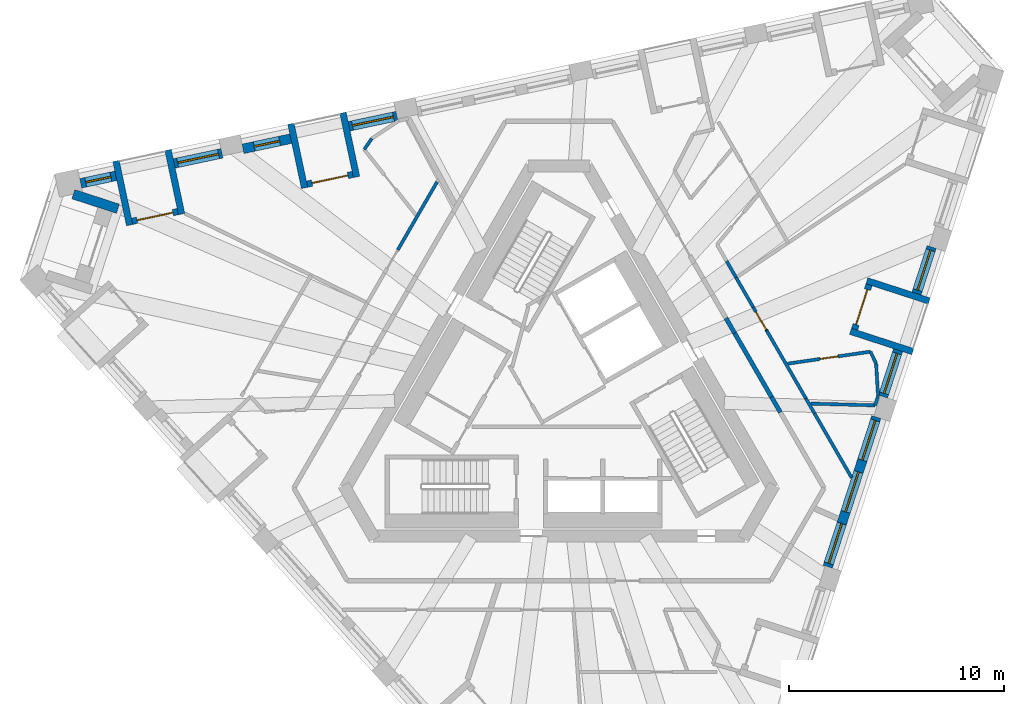
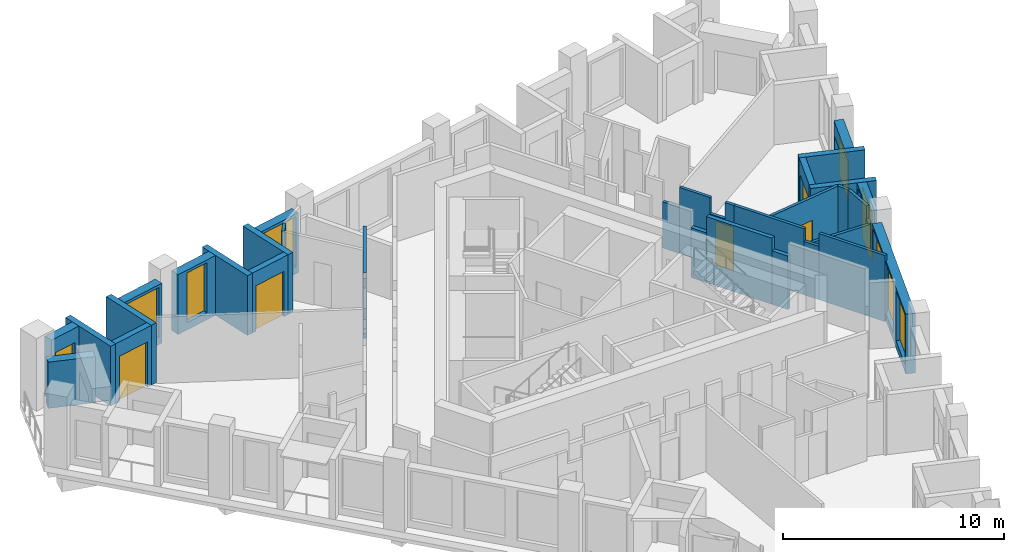
# One storey, part 6 of 12: 33 walls, 9 windows, 5 doors, 14 openings.
"""IFC4 building model written with IfcOpenShell, lengths in metres."""

from ifc_helpers import new_model, si_unit, direction, frame, frame_2d, origin, place, context, subcontext, project, spatial, polyline, rectangle, outline, extrude, material, layer, layer_set, type_object, element, fill, save


model = new_model("IFC4")

# Units and contexts
model_context = context("Model", 3, precision=1e-05, world=origin(), true_north=direction((0.0, 1.0)))
body_context = subcontext(model_context, "Body", "Model", "MODEL_VIEW")
ifc_project = project(units=[si_unit("LENGTHUNIT", "METRE"), si_unit("AREAUNIT", "SQUARE_METRE"), si_unit("VOLUMEUNIT", "CUBIC_METRE"), si_unit("PLANEANGLEUNIT", "RADIAN"), si_unit("MASSUNIT", "GRAM", prefix="KILO")], contexts=[model_context])

# Site, building, storey
site_placement = place(None, origin())
site = spatial("IfcSite", under=ifc_project, at=site_placement, CompositionType="ELEMENT")
building_placement = place(site_placement, origin())
building = spatial("IfcBuilding", under=site, at=building_placement, Name="Tramontana Tower", CompositionType="ELEMENT")
storey_placement = place(building_placement, frame((0.0, 0.0, 332.39990234375)))
storey = spatial("IfcBuildingStorey", under=building, at=storey_placement, Name="L76", CompositionType="ELEMENT", Elevation=332.39990234375)

# Walls
ifc_material_1 = material(Name="Blockwork", Category="masonry")
ifc_layer_1 = layer(ifc_material_1, 0.199951171875)
ifc_layer_set_1 = layer_set([ifc_layer_1], Name="ENTRY WALL 200")
wall_type_1 = type_object("IfcWallType", Name="ENTRY WALL 200", PredefinedType="SOLIDWALL", material=ifc_layer_set_1)
wall_1_placement = place(storey_placement, frame((7.765380859375, 3.64990234375, 0.0), z_axis=(0.0, 0.0, 1.0), x_axis=(0.500141487433, -0.865943700565, 0.0)))
element("IfcWall", 1, at=wall_1_placement, inside=storey, type_object=wall_type_1, Name="Wall v81-ew5-7", PredefinedType="SOLIDWALL", context=body_context, shape_type="SweptSolid", body=[
    extrude(rectangle(XDim=0.806884765625, YDim=0.199951171875, at=frame_2d((0.4033203125, 0.0))), origin(), (0.0, 0.0, 1.0), 2.75),
])
wall_2_placement = place(storey_placement, frame((8.1689453125, 2.951171875, 0.0), z_axis=(0.0, 0.0, 1.0), x_axis=(0.499959115548, -0.866049007147, 0.0)))
element("IfcWall", 2, at=wall_2_placement, inside=storey, type_object=wall_type_1, Name="Wall v81-ew5-8", PredefinedType="SOLIDWALL", context=body_context, shape_type="SweptSolid", body=[
    extrude(rectangle(XDim=3.423095703125, YDim=0.199951171875, at=frame_2d((1.71142578125, 0.0))), origin(), (0.0, 0.0, 1.0), 3.650146484375),
])
wall_3_placement = place(storey_placement, frame((9.88037109375, -0.013427734375, 0.0), z_axis=(0.0, 0.0, 1.0), x_axis=(0.499952654668, -0.866052736899, 0.0)))
element("IfcWall", 3, at=wall_3_placement, inside=storey, type_object=wall_type_1, Name="Wall v81-ew5-9", PredefinedType="SOLIDWALL", context=body_context, shape_type="SweptSolid", body=[
    extrude(rectangle(XDim=0.826171875, YDim=0.199951171875, at=frame_2d((0.4130859375, 0.0))), origin(), (0.0, 0.0, 1.0), 2.9501953125),
])

# Wall, openings, windows
ifc_material_2 = material(Name="Precast concrete 60 MPa", Category="concrete")
ifc_layer_2 = layer(ifc_material_2, 0.449951171875)
ifc_layer_set_2 = layer_set([ifc_layer_2], Name="Precast concrete 60 MPa, 450 mm")
wall_type_2 = type_object("IfcWallType", Name="EW1 Stone-faced precast wall 450", PredefinedType="SOLIDWALL", material=ifc_layer_set_2)
wall_4_placement = place(storey_placement, frame((12.493896484375, -7.904541015625, 0.0), z_axis=(0.0, 0.0, 1.0), x_axis=(0.309008326872, 0.951059332494, 0.0)))
wall_4 = element("IfcWall", 4, at=wall_4_placement, inside=storey, type_object=wall_type_2, Name="External wall L76 face 1 bay 3", PredefinedType="SOLIDWALL", context=body_context, shape_type="SweptSolid", body=[
    extrude(rectangle(XDim=7.313720703125, YDim=0.449951171875, at=frame_2d((3.65673828125, 0.0))), origin(), (0.0, 0.0, 1.0), 3.300048828125),
])
opening_1_placement = place(wall_4_placement, frame((0.16064453125, 0.0, 0.39990234375)))
opening_1 = element("IfcOpeningElement", 5, at=opening_1_placement, cuts=wall_4, Name="Opening M3", PredefinedType="OPENING", context=body_context, shape_type="SweptSolid", body=[
    extrude(rectangle(XDim=1.949951171875, YDim=2.75, at=frame_2d((0.97509765625, 1.375))), frame((0.0, 0.23486328125, 0.0), z_axis=(0.0, -1.0, 0.0), x_axis=(1.0, 0.0, 0.0)), (0.0, 0.0, 1.0), 0.469970703125),
])
opening_2_placement = place(wall_4_placement, frame((2.681884765625, 0.0, 0.39990234375)))
opening_2 = element("IfcOpeningElement", 6, at=opening_2_placement, cuts=wall_4, Name="Opening M3", PredefinedType="OPENING", context=body_context, shape_type="SweptSolid", body=[
    extrude(rectangle(XDim=1.949951171875, YDim=2.75, at=frame_2d((0.97509765625, 1.375))), frame((0.0, 0.23486328125, 0.0), z_axis=(0.0, -1.0, 0.0), x_axis=(1.0, 0.0, 0.0)), (0.0, 0.0, 1.0), 0.469970703125),
])
opening_3_placement = place(wall_4_placement, frame((5.203125, 0.0, 0.39990234375)))
opening_3 = element("IfcOpeningElement", 7, at=opening_3_placement, cuts=wall_4, Name="Opening M3", PredefinedType="OPENING", context=body_context, shape_type="SweptSolid", body=[
    extrude(rectangle(XDim=1.949951171875, YDim=2.75, at=frame_2d((0.97509765625, 1.375))), frame((0.0, 0.23486328125, 0.0), z_axis=(0.0, -1.0, 0.0), x_axis=(1.0, 0.0, 0.0)), (0.0, 0.0, 1.0), 0.469970703125),
])
ifc_material_3 = material(Name="Aluminum frame, double glazing unit", Category="aluminium")
window_type_1 = type_object("IfcWindowType", Name="M3 Window 1.95 x 2.75", PartitioningType="SINGLE_PANEL", PredefinedType="WINDOW", material=ifc_material_3)
window_1_placement = place(opening_1_placement, origin())
window_1 = element("IfcWindow", 8, at=window_1_placement, inside=storey, type_object=window_type_1, Name="Window M3 L76 face 1 module 7", OverallHeight=2.75, OverallWidth=1.949951171875, PartitioningType="SINGLE_PANEL", PredefinedType="WINDOW", context=body_context, shape_type="SweptSolid", body=[
    extrude(rectangle(XDim=1.949951171875, YDim=2.75, at=frame_2d((0.97509765625, 1.375))), frame((0.0, 0.030029296875, 0.0), z_axis=(0.0, -1.0, 0.0), x_axis=(1.0, 0.0, 0.0)), (0.0, 0.0, 1.0), 0.06005859375),
])
fill(opening_1, window_1)
window_2_placement = place(opening_2_placement, origin())
window_2 = element("IfcWindow", 9, at=window_2_placement, inside=storey, type_object=window_type_1, Name="Window M3 L76 face 1 module 8", OverallHeight=2.75, OverallWidth=1.949951171875, PartitioningType="SINGLE_PANEL", PredefinedType="WINDOW", context=body_context, shape_type="SweptSolid", body=[
    extrude(rectangle(XDim=1.949951171875, YDim=2.75, at=frame_2d((0.97509765625, 1.375))), frame((0.0, 0.030029296875, 0.0), z_axis=(0.0, -1.0, 0.0), x_axis=(1.0, 0.0, 0.0)), (0.0, 0.0, 1.0), 0.06005859375),
])
fill(opening_2, window_2)
window_3_placement = place(opening_3_placement, origin())
window_3 = element("IfcWindow", 10, at=window_3_placement, inside=storey, type_object=window_type_1, Name="Window M3 L76 face 1 module 9", OverallHeight=2.75, OverallWidth=1.949951171875, PartitioningType="SINGLE_PANEL", PredefinedType="WINDOW", context=body_context, shape_type="SweptSolid", body=[
    extrude(rectangle(XDim=1.949951171875, YDim=2.75, at=frame_2d((0.97509765625, 1.375))), frame((0.0, 0.030029296875, 0.0), z_axis=(0.0, -1.0, 0.0), x_axis=(1.0, 0.0, 0.0)), (0.0, 0.0, 1.0), 0.06005859375),
])
fill(opening_3, window_3)

# Wall, opening, window
wall_5_placement = place(storey_placement, frame((15.06298828125, 0.00244140625, 0.0), z_axis=(0.0, 0.0, 1.0), x_axis=(0.309059334219, 0.951042758204, 0.0)))
wall_5 = element("IfcWall", 11, at=wall_5_placement, inside=storey, type_object=wall_type_2, Name="External wall L76 face 1 bay 4", PredefinedType="SOLIDWALL", context=body_context, shape_type="SweptSolid", body=[
    extrude(rectangle(XDim=2.27099609375, YDim=0.449951171875, at=frame_2d((1.135498046875, 0.0))), origin(), (0.0, 0.0, 1.0), 3.300048828125),
])
opening_4_placement = place(wall_5_placement, frame((0.16064453125, 0.0, 0.39990234375)))
opening_4 = element("IfcOpeningElement", 12, at=opening_4_placement, cuts=wall_5, Name="Opening M3", PredefinedType="OPENING", context=body_context, shape_type="SweptSolid", body=[
    extrude(rectangle(XDim=1.949951171875, YDim=2.75, at=frame_2d((0.97509765625, 1.375))), frame((0.0, 0.23486328125, 0.0), z_axis=(0.0, -1.0, 0.0), x_axis=(1.0, 0.0, 0.0)), (0.0, 0.0, 1.0), 0.469970703125),
])
window_4_placement = place(opening_4_placement, origin())
window_4 = element("IfcWindow", 13, at=window_4_placement, inside=storey, type_object=window_type_1, Name="Window M3 L76 face 1 module 10", OverallHeight=2.75, OverallWidth=1.949951171875, PartitioningType="SINGLE_PANEL", PredefinedType="WINDOW", context=body_context, shape_type="SweptSolid", body=[
    extrude(rectangle(XDim=1.949951171875, YDim=2.75, at=frame_2d((0.97509765625, 1.375))), frame((0.0, 0.030029296875, 0.0), z_axis=(0.0, -1.0, 0.0), x_axis=(1.0, 0.0, 0.0)), (0.0, 0.0, 1.0), 0.06005859375),
])
fill(opening_4, window_4)

wall_6_placement = place(storey_placement, frame((16.62109375, 4.798095703125, 0.0), z_axis=(0.0, 0.0, 1.0), x_axis=(0.309027740273, 0.951053024674, 0.0)))
wall_6 = element("IfcWall", 14, at=wall_6_placement, inside=storey, type_object=wall_type_2, Name="External wall L76 face 1 bay 4", PredefinedType="SOLIDWALL", context=body_context, shape_type="SweptSolid", body=[
    extrude(rectangle(XDim=2.271240234375, YDim=0.449951171875, at=frame_2d((1.1357421875, 0.0))), origin(), (0.0, 0.0, 1.0), 3.300048828125),
])
opening_5_placement = place(wall_6_placement, frame((0.16064453125, 0.0, 0.39990234375)))
opening_5 = element("IfcOpeningElement", 15, at=opening_5_placement, cuts=wall_6, Name="Opening M3L", PredefinedType="OPENING", context=body_context, shape_type="SweptSolid", body=[
    extrude(rectangle(XDim=1.949951171875, YDim=2.10009765625, at=frame_2d((0.97509765625, 1.050048828125))), frame((0.0, 0.23486328125, 0.0), z_axis=(0.0, -1.0, 0.0), x_axis=(1.0, 0.0, 0.0)), (0.0, 0.0, 1.0), 0.469970703125),
])
ifc_material_4 = material(Name="Aluminum frame, double glazing unit", Category="aluminium")
window_type_2 = type_object("IfcWindowType", Name="M3L Window 1.95 x 2.1", PartitioningType="SINGLE_PANEL", PredefinedType="WINDOW", material=ifc_material_4)
window_5_placement = place(opening_5_placement, origin())
window_5 = element("IfcWindow", 16, at=window_5_placement, inside=storey, type_object=window_type_2, Name="Window M3L L76 face 1 module 12", OverallHeight=2.10009765625, OverallWidth=1.949951171875, PartitioningType="SINGLE_PANEL", PredefinedType="WINDOW", context=body_context, shape_type="SweptSolid", body=[
    extrude(rectangle(XDim=1.949951171875, YDim=2.10009765625, at=frame_2d((0.97509765625, 1.050048828125))), frame((0.0, 0.030029296875, 0.0), z_axis=(0.0, -1.0, 0.0), x_axis=(1.0, 0.0, 0.0)), (0.0, 0.0, 1.0), 0.06005859375),
])
fill(opening_5, window_5)

wall_7_placement = place(storey_placement, frame((-7.533447265625, 13.043701171875, 0.0), z_axis=(0.0, 0.0, 1.0), x_axis=(-0.978153386925, -0.207884467067, 0.0)))
wall_7 = element("IfcWall", 17, at=wall_7_placement, inside=storey, type_object=wall_type_2, Name="External wall L76 face 2 bay 4", PredefinedType="SOLIDWALL", context=body_context, shape_type="SweptSolid", body=[
    extrude(rectangle(XDim=2.271240234375, YDim=0.449951171875, at=frame_2d((1.1357421875, 0.0))), origin(), (0.0, 0.0, 1.0), 3.300048828125),
])
opening_6_placement = place(wall_7_placement, frame((0.16064453125, 0.0, 0.39990234375)))
opening_6 = element("IfcOpeningElement", 18, at=opening_6_placement, cuts=wall_7, Name="Opening M3", PredefinedType="OPENING", context=body_context, shape_type="SweptSolid", body=[
    extrude(rectangle(XDim=1.949951171875, YDim=2.75, at=frame_2d((0.97509765625, 1.375))), frame((0.0, 0.23486328125, 0.0), z_axis=(0.0, -1.0, 0.0), x_axis=(1.0, 0.0, 0.0)), (0.0, 0.0, 1.0), 0.469970703125),
])
window_6_placement = place(opening_6_placement, origin())
window_6 = element("IfcWindow", 19, at=window_6_placement, inside=storey, type_object=window_type_1, Name="Window M3 L76 face 2 module 10", OverallHeight=2.75, OverallWidth=1.949951171875, PartitioningType="SINGLE_PANEL", PredefinedType="WINDOW", context=body_context, shape_type="SweptSolid", body=[
    extrude(rectangle(XDim=1.949951171875, YDim=2.75, at=frame_2d((0.97509765625, 1.375))), frame((0.0, 0.030029296875, 0.0), z_axis=(0.0, -1.0, 0.0), x_axis=(1.0, 0.0, 0.0)), (0.0, 0.0, 1.0), 0.06005859375),
])
fill(opening_6, window_6)

wall_8_placement = place(storey_placement, frame((-12.4658203125, 11.995361328125, 0.0), z_axis=(0.0, 0.0, 1.0), x_axis=(-0.978153386925, -0.207884467067, 0.0)))
wall_8 = element("IfcWall", 20, at=wall_8_placement, inside=storey, type_object=wall_type_2, Name="External wall L76 face 2 bay 4", PredefinedType="SOLIDWALL", context=body_context, shape_type="SweptSolid", body=[
    extrude(rectangle(XDim=2.271240234375, YDim=0.449951171875, at=frame_2d((1.1357421875, 0.0))), origin(), (0.0, 0.0, 1.0), 3.300048828125),
])
opening_7_placement = place(wall_8_placement, frame((0.53564453125, 0.0, 0.39990234375)))
opening_7 = element("IfcOpeningElement", 21, at=opening_7_placement, cuts=wall_8, Name="Opening N3", PredefinedType="OPENING", context=body_context, shape_type="SweptSolid", body=[
    extrude(rectangle(XDim=1.199951171875, YDim=2.75, at=frame_2d((0.60009765625, 1.375))), frame((0.0, 0.23486328125, 0.0), z_axis=(0.0, -1.0, 0.0), x_axis=(1.0, 0.0, 0.0)), (0.0, 0.0, 1.0), 0.469970703125),
])
ifc_material_5 = material(Name="Aluminum frame, double glazing unit", Category="aluminium")
window_type_3 = type_object("IfcWindowType", Name="N3 Window 1.2 x 2.75", PartitioningType="SINGLE_PANEL", PredefinedType="WINDOW", material=ifc_material_5)
window_7_placement = place(opening_7_placement, origin())
window_7 = element("IfcWindow", 22, at=window_7_placement, inside=storey, type_object=window_type_3, Name="Window N3 L76 face 2 module 12", OverallHeight=2.75, OverallWidth=1.199951171875, PartitioningType="SINGLE_PANEL", PredefinedType="WINDOW", context=body_context, shape_type="SweptSolid", body=[
    extrude(rectangle(XDim=1.199951171875, YDim=2.75, at=frame_2d((0.60009765625, 1.375))), frame((0.0, 0.030029296875, 0.0), z_axis=(0.0, -1.0, 0.0), x_axis=(1.0, 0.0, 0.0)), (0.0, 0.0, 1.0), 0.06005859375),
])
fill(opening_7, window_7)

wall_9_placement = place(storey_placement, frame((-15.665771484375, 11.315185546875, 0.0), z_axis=(0.0, 0.0, 1.0), x_axis=(-0.978148740936, -0.207906326516, 0.0)))
wall_9 = element("IfcWall", 23, at=wall_9_placement, inside=storey, type_object=wall_type_2, Name="External wall L76 face 2 bay 5", PredefinedType="SOLIDWALL", context=body_context, shape_type="SweptSolid", body=[
    extrude(rectangle(XDim=2.27099609375, YDim=0.449951171875, at=frame_2d((1.135498046875, 0.0))), origin(), (0.0, 0.0, 1.0), 3.300048828125),
])
opening_8_placement = place(wall_9_placement, frame((0.16064453125, 0.0, 0.39990234375)))
opening_8 = element("IfcOpeningElement", 24, at=opening_8_placement, cuts=wall_9, Name="Opening M3", PredefinedType="OPENING", context=body_context, shape_type="SweptSolid", body=[
    extrude(rectangle(XDim=1.949951171875, YDim=2.75, at=frame_2d((0.97509765625, 1.375))), frame((0.0, 0.23486328125, 0.0), z_axis=(0.0, -1.0, 0.0), x_axis=(1.0, 0.0, 0.0)), (0.0, 0.0, 1.0), 0.469970703125),
])
window_8_placement = place(opening_8_placement, origin())
window_8 = element("IfcWindow", 25, at=window_8_placement, inside=storey, type_object=window_type_1, Name="Window M3 L76 face 2 module 13", OverallHeight=2.75, OverallWidth=1.949951171875, PartitioningType="SINGLE_PANEL", PredefinedType="WINDOW", context=body_context, shape_type="SweptSolid", body=[
    extrude(rectangle(XDim=1.949951171875, YDim=2.75, at=frame_2d((0.97509765625, 1.375))), frame((0.0, 0.030029296875, 0.0), z_axis=(0.0, -1.0, 0.0), x_axis=(1.0, 0.0, 0.0)), (0.0, 0.0, 1.0), 0.06005859375),
])
fill(opening_8, window_8)

wall_10_placement = place(storey_placement, frame((-20.59814453125, 10.266845703125, 0.0), z_axis=(0.0, 0.0, 1.0), x_axis=(-0.978126168783, -0.208012494676, 0.0)))
wall_10 = element("IfcWall", 26, at=wall_10_placement, inside=storey, type_object=wall_type_2, Name="External wall L76 face 2 bay 5", PredefinedType="SOLIDWALL", context=body_context, shape_type="SweptSolid", body=[
    extrude(rectangle(XDim=1.67138671875, YDim=0.449951171875, at=frame_2d((0.835693359375, 0.0))), origin(), (0.0, 0.0, 1.0), 3.300048828125),
])
opening_9_placement = place(wall_10_placement, frame((0.235595703125, 0.0, 0.39990234375)))
opening_9 = element("IfcOpeningElement", 27, at=opening_9_placement, cuts=wall_10, Name="Opening N3L", PredefinedType="OPENING", context=body_context, shape_type="SweptSolid", body=[
    extrude(rectangle(XDim=1.199951171875, YDim=2.10009765625, at=frame_2d((0.60009765625, 1.050048828125))), frame((0.0, 0.23486328125, 0.0), z_axis=(0.0, -1.0, 0.0), x_axis=(1.0, 0.0, 0.0)), (0.0, 0.0, 1.0), 0.469970703125),
])
ifc_material_6 = material(Name="Aluminum frame, double glazing unit", Category="aluminium")
window_type_4 = type_object("IfcWindowType", Name="N3L Window 1.2 x 2.1", PartitioningType="SINGLE_PANEL", PredefinedType="WINDOW", material=ifc_material_6)
window_9_placement = place(opening_9_placement, origin())
window_9 = element("IfcWindow", 28, at=window_9_placement, inside=storey, type_object=window_type_4, Name="Window N3L L76 face 2 module 15", OverallHeight=2.10009765625, OverallWidth=1.199951171875, PartitioningType="SINGLE_PANEL", PredefinedType="WINDOW", context=body_context, shape_type="SweptSolid", body=[
    extrude(rectangle(XDim=1.199951171875, YDim=2.10009765625, at=frame_2d((0.60009765625, 1.050048828125))), frame((0.0, 0.030029296875, 0.0), z_axis=(0.0, -1.0, 0.0), x_axis=(1.0, 0.0, 0.0)), (0.0, 0.0, 1.0), 0.06005859375),
])
fill(opening_9, window_9)

# Wall
wall_11_placement = place(storey_placement, frame((-22.57568359375, 9.411865234375, 0.0), z_axis=(0.0, 0.0, 1.0), x_axis=(0.951064526973, -0.308992338955, 0.0)))
element("IfcWall", 29, at=wall_11_placement, inside=storey, type_object=wall_type_2, Name="Corner loggia side wall L76 K80r", PredefinedType="SOLIDWALL", context=body_context, shape_type="SweptSolid", body=[
    extrude(rectangle(XDim=2.17919921875, YDim=0.449951171875, at=frame_2d((1.089599609375, 0.0))), origin(), (0.0, 0.0, 1.0), 2.550048828125),
])

# Wall, opening, door
ifc_material_7 = material(Name="Precast concrete 60 MPa", Category="concrete")
ifc_layer_3 = layer(ifc_material_7, 0.300048828125)
ifc_layer_set_3 = layer_set([ifc_layer_3], Name="LW1 Stone-faced loggia wall 300")
wall_type_3 = type_object("IfcWallType", Name="LW1 Stone-faced loggia wall 300", PredefinedType="SOLIDWALL", material=ifc_layer_set_3)
wall_12_placement = place(storey_placement, frame((13.741455078125, 3.13525390625, 0.0), z_axis=(0.0, 0.0, 1.0), x_axis=(0.308966581759, 0.95107289487, 0.0)))
wall_12 = element("IfcWall", 30, at=wall_12_placement, inside=storey, type_object=wall_type_3, Name="Loggia wall L76 G8S1.10", PredefinedType="SOLIDWALL", context=body_context, shape_type="SweptSolid", body=[
    extrude(rectangle(XDim=2.17138671875, YDim=0.300048828125, at=frame_2d((1.085693359375, 0.0))), origin(), (0.0, 0.0, 1.0), 3.300048828125),
])
opening_10_placement = place(wall_12_placement, frame((0.235595703125, 0.0, 0.0)))
opening_10 = element("IfcOpeningElement", 31, at=opening_10_placement, cuts=wall_12, Name="Opening BD-8S1-10", PredefinedType="OPENING", context=body_context, shape_type="SweptSolid", body=[
    extrude(rectangle(XDim=1.699951171875, YDim=2.5, at=frame_2d((0.85009765625, 1.25))), frame((0.0, 0.159912109375, 0.0), z_axis=(0.0, -1.0, 0.0), x_axis=(1.0, 0.0, 0.0)), (0.0, 0.0, 1.0), 0.320068359375),
])
ifc_material_8 = material(Name="Aluminum frame, double glazing unit", Category="aluminium")
door_type_1 = type_object("IfcDoorType", Name="BD3 Sliding door 1.7 x 2.5", OperationType="SLIDING_TO_LEFT", PredefinedType="DOOR", material=ifc_material_8)
door_1_placement = place(opening_10_placement, origin())
door_1 = element("IfcDoor", 32, at=door_1_placement, inside=storey, type_object=door_type_1, Name="Loggia door L76 G8S1.10", OperationType="SLIDING_TO_LEFT", OverallHeight=2.5, OverallWidth=1.699951171875, PredefinedType="DOOR", context=body_context, shape_type="SweptSolid", body=[
    extrude(rectangle(XDim=1.699951171875, YDim=2.5, at=frame_2d((0.85009765625, 1.25))), frame((0.0, 0.02490234375, 0.0), z_axis=(0.0, -1.0, 0.0), x_axis=(1.0, 0.0, 0.0)), (0.0, 0.0, 1.0), 0.050048828125),
])
fill(opening_10, door_1)

# Walls
for number, where, z_axis, x_axis, name in (
    (33, (16.453125, 2.096435546875, 0.0), (0.0, 0.0, 1.0), (-0.951041715693, 0.309062542235, 0.0), "Loggia return L76 G8S1.10a"),
    (34, (17.216796875, 4.44677734375, 0.0), (0.0, 0.0, 1.0), (-0.951041715693, 0.309062542235, 0.0), "Loggia return L76 G8S1.10b"),
):
    element("IfcWall", number, at=place(storey_placement, frame(where, z_axis=z_axis, x_axis=x_axis)), inside=storey, type_object=wall_type_3, Name=name, PredefinedType="SOLIDWALL", context=body_context, shape_type="SweptSolid", body=[
        extrude(rectangle(XDim=3.050048828125, YDim=0.300048828125, at=frame_2d((1.52490234375, 0.0))), origin(), (0.0, 0.0, 1.0), 3.300048828125),
    ])

# Wall, opening, door
wall_13_placement = place(storey_placement, frame((-9.5859375, 10.332763671875, 0.0), z_axis=(0.0, 0.0, 1.0), x_axis=(-0.978148276005, -0.207908513891, 0.0)))
wall_13 = element("IfcWall", 35, at=wall_13_placement, inside=storey, type_object=wall_type_3, Name="Loggia wall L76 G8S2.10", PredefinedType="SOLIDWALL", context=body_context, shape_type="SweptSolid", body=[
    extrude(rectangle(XDim=2.171142578125, YDim=0.300048828125, at=frame_2d((1.08544921875, 0.0))), origin(), (0.0, 0.0, 1.0), 3.300048828125),
])
opening_11_placement = place(wall_13_placement, frame((0.235595703125, 0.0, 0.0)))
opening_11 = element("IfcOpeningElement", 36, at=opening_11_placement, cuts=wall_13, Name="Opening BD-8S2-10", PredefinedType="OPENING", context=body_context, shape_type="SweptSolid", body=[
    extrude(rectangle(XDim=1.699951171875, YDim=2.5, at=frame_2d((0.85009765625, 1.25))), frame((0.0, 0.159912109375, 0.0), z_axis=(0.0, -1.0, 0.0), x_axis=(1.0, 0.0, 0.0)), (0.0, 0.0, 1.0), 0.320068359375),
])
door_2_placement = place(opening_11_placement, origin())
door_2 = element("IfcDoor", 37, at=door_2_placement, inside=storey, type_object=door_type_1, Name="Loggia door L76 G8S2.10", OperationType="SLIDING_TO_LEFT", OverallHeight=2.5, OverallWidth=1.699951171875, PredefinedType="DOOR", context=body_context, shape_type="SweptSolid", body=[
    extrude(rectangle(XDim=1.699951171875, YDim=2.5, at=frame_2d((0.85009765625, 1.25))), frame((0.0, 0.02490234375, 0.0), z_axis=(0.0, -1.0, 0.0), x_axis=(1.0, 0.0, 0.0)), (0.0, 0.0, 1.0), 0.050048828125),
])
fill(opening_11, door_2)

# Walls
for number, where, z_axis, x_axis, name in (
    (38, (-10.042236328125, 13.20068359375, 0.0), (0.0, 0.0, 1.0), (0.207954487003, -0.978138503145, 0.0), "Loggia return L76 G8S2.10a"),
    (39, (-12.45947265625, 12.686767578125, 0.0), (0.0, 0.0, 1.0), (0.207877902534, -0.978154782045, 0.0), "Loggia return L76 G8S2.10b"),
):
    element("IfcWall", number, at=place(storey_placement, frame(where, z_axis=z_axis, x_axis=x_axis)), inside=storey, type_object=wall_type_3, Name=name, PredefinedType="SOLIDWALL", context=body_context, shape_type="SweptSolid", body=[
        extrude(rectangle(XDim=3.050048828125, YDim=0.300048828125, at=frame_2d((1.52490234375, 0.0))), origin(), (0.0, 0.0, 1.0), 3.300048828125),
    ])

# Wall, opening, door
wall_14_placement = place(storey_placement, frame((-17.71826171875, 8.604248046875, 0.0), z_axis=(0.0, 0.0, 1.0), x_axis=(-0.978148276005, -0.207908513891, 0.0)))
wall_14 = element("IfcWall", 40, at=wall_14_placement, inside=storey, type_object=wall_type_3, Name="Loggia wall L76 G8S2.13", PredefinedType="SOLIDWALL", context=body_context, shape_type="SweptSolid", body=[
    extrude(rectangle(XDim=2.171142578125, YDim=0.300048828125, at=frame_2d((1.08544921875, 0.0))), origin(), (0.0, 0.0, 1.0), 3.300048828125),
])
opening_12_placement = place(wall_14_placement, frame((0.235595703125, 0.0, 0.0)))
opening_12 = element("IfcOpeningElement", 41, at=opening_12_placement, cuts=wall_14, Name="Opening BD-8S2-13", PredefinedType="OPENING", context=body_context, shape_type="SweptSolid", body=[
    extrude(rectangle(XDim=1.699951171875, YDim=2.5, at=frame_2d((0.85009765625, 1.25))), frame((0.0, 0.159912109375, 0.0), z_axis=(0.0, -1.0, 0.0), x_axis=(1.0, 0.0, 0.0)), (0.0, 0.0, 1.0), 0.320068359375),
])
door_3_placement = place(opening_12_placement, origin())
door_3 = element("IfcDoor", 42, at=door_3_placement, inside=storey, type_object=door_type_1, Name="Loggia door L76 G8S2.13", OperationType="SLIDING_TO_LEFT", OverallHeight=2.5, OverallWidth=1.699951171875, PredefinedType="DOOR", context=body_context, shape_type="SweptSolid", body=[
    extrude(rectangle(XDim=1.699951171875, YDim=2.5, at=frame_2d((0.85009765625, 1.25))), frame((0.0, 0.02490234375, 0.0), z_axis=(0.0, -1.0, 0.0), x_axis=(1.0, 0.0, 0.0)), (0.0, 0.0, 1.0), 0.050048828125),
])
fill(opening_12, door_3)

# Walls
wall_15_placement = place(storey_placement, frame((-18.17431640625, 11.471923828125, 0.0), z_axis=(0.0, 0.0, 1.0), x_axis=(0.207894179953, -0.978151322619, 0.0)))
element("IfcWall", 43, at=wall_15_placement, inside=storey, type_object=wall_type_3, Name="Loggia return L76 G8S2.13a", PredefinedType="SOLIDWALL", context=body_context, shape_type="SweptSolid", body=[
    extrude(rectangle(XDim=3.0498046875, YDim=0.300048828125, at=frame_2d((1.52490234375, 0.0))), origin(), (0.0, 0.0, 1.0), 3.300048828125),
])
wall_16_placement = place(storey_placement, frame((-20.591552734375, 10.958251953125, 0.0), z_axis=(0.0, 0.0, 1.0), x_axis=(0.207877902534, -0.978154782045, 0.0)))
element("IfcWall", 44, at=wall_16_placement, inside=storey, type_object=wall_type_3, Name="Loggia return L76 G8S2.13b", PredefinedType="SOLIDWALL", context=body_context, shape_type="SweptSolid", body=[
    extrude(rectangle(XDim=3.050048828125, YDim=0.300048828125, at=frame_2d((1.52490234375, 0.0))), origin(), (0.0, 0.0, 1.0), 3.300048828125),
])
ifc_material_9 = material(Name="Gypsum board partition")
ifc_layer_4 = layer(ifc_material_9, 0.14990234375)
ifc_layer_set_4 = layer_set([ifc_layer_4], Name="PARTITION 150")
wall_type_4 = type_object("IfcWallType", Name="PARTITION 150", PredefinedType="PARTITIONING", material=ifc_layer_set_4)
wall_17_placement = place(storey_placement, frame((-7.490478515625, 6.826171875, 0.0), z_axis=(0.0, 0.0, 1.0), x_axis=(0.500041145768, 0.866001646961, 0.0)))
element("IfcWall", 45, at=wall_17_placement, inside=storey, type_object=wall_type_4, Name="Wall v81-pw07-7", PredefinedType="PARTITIONING", context=body_context, shape_type="SweptSolid", body=[
    extrude(rectangle(XDim=3.647216796875, YDim=0.14990234375, at=frame_2d((1.82373046875, 0.0))), origin(), (0.0, 0.0, 1.0), 3.650146484375),
])
wall_18_placement = place(storey_placement, frame((7.792236328125, 6.303466796875, 0.0), z_axis=(0.0, 0.0, 1.0), x_axis=(0.500074377092, -0.865982457891, 0.0)))
element("IfcWall", 46, at=wall_18_placement, inside=storey, type_object=wall_type_4, Name="Wall v81-pw24-1", PredefinedType="PARTITIONING", context=body_context, shape_type="SweptSolid", body=[
    extrude(rectangle(XDim=0.880615234375, YDim=0.14990234375, at=frame_2d((0.4404296875, 0.0))), origin(), (0.0, 0.0, 1.0), 2.550048828125),
])
wall_19_placement = place(storey_placement, frame((8.232666015625, 5.540771484375, 0.0), z_axis=(0.0, 0.0, 1.0), x_axis=(0.500009674092, -0.866019818373, 0.0)))
element("IfcWall", 47, at=wall_19_placement, inside=storey, type_object=wall_type_4, Name="Wall v81-pw24-2", PredefinedType="PARTITIONING", context=body_context, shape_type="SweptSolid", body=[
    extrude(rectangle(XDim=1.59423828125, YDim=0.14990234375, at=frame_2d((0.797119140625, 0.0))), origin(), (0.0, 0.0, 1.0), 3.650146484375),
])

# Wall, opening, door
wall_20_placement = place(storey_placement, frame((9.02978515625, 4.16015625, 0.0), z_axis=(0.0, 0.0, 1.0), x_axis=(0.499952953824, -0.866052564203, 0.0)))
wall_20 = element("IfcWall", 48, at=wall_20_placement, inside=storey, type_object=wall_type_4, Name="Wall v81-pw24-3", PredefinedType="PARTITIONING", context=body_context, shape_type="SweptSolid", body=[
    extrude(outline(polyline([(0.0, 0.0), (1.2529296875, 0.0), (1.253173828125, 3.650146484375), (0.78173828125, 3.650146484375), (0.78173828125, 2.75), (0.0, 2.75), (0.0, 0.0)])), frame((0.0, 0.074951171875, 0.0), z_axis=(0.0, -1.0, 0.0), x_axis=(1.0, 0.0, 0.0)), (0.0, 0.0, 1.0), 0.14990234375),
])
opening_13_placement = place(wall_20_placement, frame((0.253173828125, 0.0, 0.0)))
opening_13 = element("IfcOpeningElement", 49, at=opening_13_placement, cuts=wall_20, Name="Opening B8B-13", PredefinedType="OPENING", context=body_context, shape_type="SweptSolid", body=[
    extrude(rectangle(XDim=0.949951171875, YDim=2.39990234375, at=frame_2d((0.47509765625, 1.199951171875))), frame((0.0, 0.0849609375, 0.0), z_axis=(0.0, -1.0, 0.0), x_axis=(1.0, 0.0, 0.0)), (0.0, 0.0, 1.0), 0.169921875),
])
ifc_material_10 = material(Name="Painted timber", Category="wood")
door_type_2 = type_object("IfcDoorType", Name="DOOR ROOM 950", OperationType="SINGLE_SWING_LEFT", PredefinedType="DOOR", material=ifc_material_10)
door_4_placement = place(opening_13_placement, origin())
door_4 = element("IfcDoor", 50, at=door_4_placement, inside=storey, type_object=door_type_2, Name="Door B8B-13", OperationType="SINGLE_SWING_LEFT", OverallHeight=2.39990234375, OverallWidth=0.949951171875, PredefinedType="DOOR", context=body_context, shape_type="SweptSolid", body=[
    extrude(rectangle(XDim=0.949951171875, YDim=2.39990234375, at=frame_2d((0.47509765625, 1.199951171875))), frame((0.0, 0.02490234375, 0.0), z_axis=(0.0, -1.0, 0.0), x_axis=(1.0, 0.0, 0.0)), (0.0, 0.0, 1.0), 0.050048828125),
])
fill(opening_13, door_4)

# Walls
wall_21_placement = place(storey_placement, frame((9.65625, 3.074951171875, 0.0), z_axis=(0.0, 0.0, 1.0), x_axis=(0.499996628238, -0.866027350463, 0.0)))
element("IfcWall", 51, at=wall_21_placement, inside=storey, type_object=wall_type_4, Name="Wall v81-pw24-4", PredefinedType="PARTITIONING", context=body_context, shape_type="SweptSolid", body=[
    extrude(rectangle(XDim=3.6484375, YDim=0.14990234375, at=frame_2d((1.82421875, 0.0))), origin(), (0.0, 0.0, 1.0), 3.650146484375),
])
wall_22_placement = place(storey_placement, frame((11.48046875, -0.084716796875, 0.0), z_axis=(0.0, 0.0, 1.0), x_axis=(0.499961121316, -0.86604784924, 0.0)))
element("IfcWall", 52, at=wall_22_placement, inside=storey, type_object=wall_type_4, Name="Wall v81-pw24-5", PredefinedType="PARTITIONING", context=body_context, shape_type="SweptSolid", body=[
    extrude(rectangle(XDim=0.796875, YDim=0.14990234375, at=frame_2d((0.3984375, 0.0))), origin(), (0.0, 0.0, 1.0), 2.9501953125),
])
wall_23_placement = place(storey_placement, frame((11.87890625, -0.77490234375, 0.0), z_axis=(0.0, 0.0, 1.0), x_axis=(0.499983902814, -0.8660346973, 0.0)))
element("IfcWall", 53, at=wall_23_placement, inside=storey, type_object=wall_type_4, Name="Wall v81-pw24-6", PredefinedType="PARTITIONING", context=body_context, shape_type="SweptSolid", body=[
    extrude(rectangle(XDim=3.44873046875, YDim=0.14990234375, at=frame_2d((1.724365234375, 0.0))), origin(), (0.0, 0.0, 1.0), 3.650146484375),
])

# Wall, opening, door
wall_24_placement = place(storey_placement, frame((14.48046875, 2.092041015625, 0.0), z_axis=(0.0, 0.0, 1.0), x_axis=(-0.98972223703, -0.143003124188, 0.0)))
wall_24 = element("IfcWall", 54, at=wall_24_placement, inside=storey, type_object=wall_type_4, Name="Wall v81-pw31", PredefinedType="PARTITIONING", context=body_context, shape_type="SweptSolid", body=[
    extrude(rectangle(XDim=3.88916015625, YDim=0.14990234375, at=frame_2d((1.944580078125, 0.0))), origin(), (0.0, 0.0, 1.0), 3.650146484375),
])
opening_14_placement = place(wall_24_placement, frame((1.51953125, 0.0, 0.0)))
opening_14 = element("IfcOpeningElement", 55, at=opening_14_placement, cuts=wall_24, Name="Opening B8B-14", PredefinedType="OPENING", context=body_context, shape_type="SweptSolid", body=[
    extrude(rectangle(XDim=0.85009765625, YDim=2.39990234375, at=frame_2d((0.425048828125, 1.199951171875))), frame((0.0, 0.0849609375, 0.0), z_axis=(0.0, -1.0, 0.0), x_axis=(1.0, 0.0, 0.0)), (0.0, 0.0, 1.0), 0.169921875),
])
ifc_material_11 = material(Name="Painted timber", Category="wood")
door_type_3 = type_object("IfcDoorType", Name="DOOR BATH 850", OperationType="SINGLE_SWING_LEFT", PredefinedType="DOOR", material=ifc_material_11)
door_5_placement = place(opening_14_placement, origin())
door_5 = element("IfcDoor", 56, at=door_5_placement, inside=storey, type_object=door_type_3, Name="Door B8B-14", OperationType="SINGLE_SWING_RIGHT", OverallHeight=2.39990234375, OverallWidth=0.85009765625, PredefinedType="DOOR", context=body_context, shape_type="SweptSolid", body=[
    extrude(rectangle(XDim=0.85009765625, YDim=2.39990234375, at=frame_2d((0.425048828125, 1.199951171875))), frame((0.0, 0.02490234375, 0.0), z_axis=(0.0, -1.0, 0.0), x_axis=(1.0, 0.0, 0.0)), (0.0, 0.0, 1.0), 0.050048828125),
])
fill(opening_14, door_5)

# Walls
wall_25_placement = place(storey_placement, frame((14.6943359375, -0.403564453125, 0.0), z_axis=(0.0, 0.0, 1.0), x_axis=(-0.999623987497, 0.027420496351, 0.0)))
element("IfcWall", 57, at=wall_25_placement, inside=storey, type_object=wall_type_4, Name="Wall v81-pw33-0", PredefinedType="PARTITIONING", context=body_context, shape_type="SweptSolid", body=[
    extrude(rectangle(XDim=2.99169921875, YDim=0.14990234375, at=frame_2d((1.495849609375, 0.0))), origin(), (0.0, 0.0, 1.0), 2.9501953125),
])
wall_26_placement = place(storey_placement, frame((14.74365234375, 1.535400390625, 0.0), z_axis=(0.0, 0.0, 1.0), x_axis=(0.060553720594, -0.998164939738, 0.0)))
element("IfcWall", 58, at=wall_26_placement, inside=storey, type_object=wall_type_4, Name="Wall v81-pw34", PredefinedType="PARTITIONING", context=body_context, shape_type="SweptSolid", body=[
    extrude(rectangle(XDim=1.5078125, YDim=0.14990234375, at=frame_2d((0.75390625, 0.0))), origin(), (0.0, 0.0, 1.0), 3.650146484375),
])
wall_27_placement = place(storey_placement, frame((14.835205078125, 0.029541015625, 0.0), z_axis=(0.0, 0.0, 1.0), x_axis=(-0.30881935168, -0.951120711597, 0.0)))
element("IfcWall", 59, at=wall_27_placement, inside=storey, type_object=wall_type_4, Name="Wall v81-pw35-0", PredefinedType="PARTITIONING", context=body_context, shape_type="SweptSolid", body=[
    extrude(rectangle(XDim=0.455322265625, YDim=0.14990234375, at=frame_2d((0.2275390625, 0.0))), origin(), (0.0, 0.0, 1.0), 2.9501953125),
])
wall_28_placement = place(storey_placement, frame((-9.052001953125, 11.494384765625, 0.0), z_axis=(0.0, 0.0, 1.0), x_axis=(0.569251205222, 0.822163648767, 0.0)))
element("IfcWall", 60, at=wall_28_placement, inside=storey, type_object=wall_type_4, Name="Wall v81-pwc00", PredefinedType="PARTITIONING", context=body_context, shape_type="SweptSolid", body=[
    extrude(rectangle(XDim=0.615966796875, YDim=0.14990234375, at=frame_2d((0.30810546875, 0.0))), origin(), (0.0, 0.0, 1.0), 3.650146484375),
])
wall_29_placement = place(storey_placement, frame((14.48046875, 2.092041015625, 0.0), z_axis=(0.0, 0.0, 1.0), x_axis=(0.427438540841, -0.904044409199, 0.0)))
element("IfcWall", 61, at=wall_29_placement, inside=storey, type_object=wall_type_4, Name="Wall v81-pwc02", PredefinedType="PARTITIONING", context=body_context, shape_type="SweptSolid", body=[
    extrude(rectangle(XDim=0.61572265625, YDim=0.14990234375, at=frame_2d((0.307861328125, 0.0))), origin(), (0.0, 0.0, 1.0), 3.650146484375),
])

save(model, "model.ifc")
